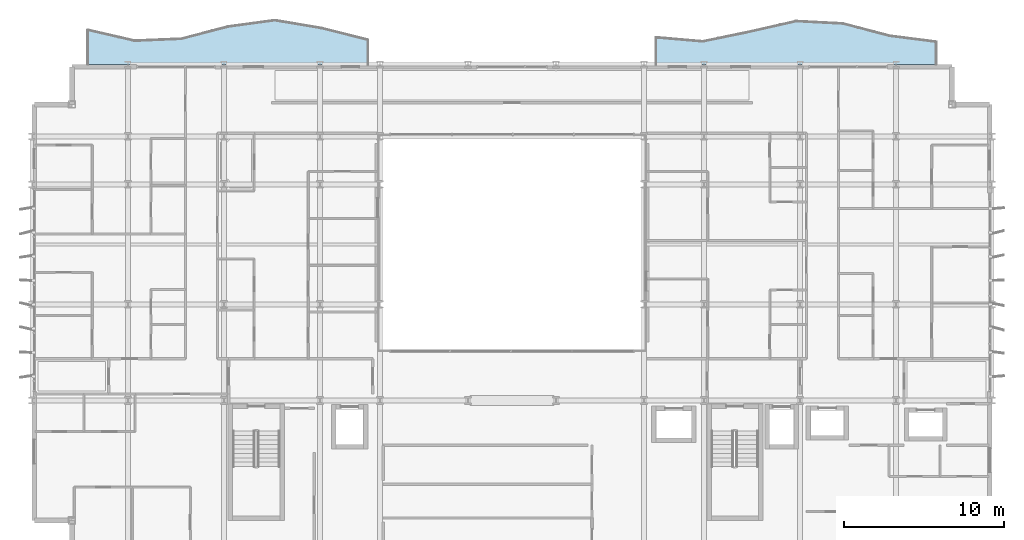
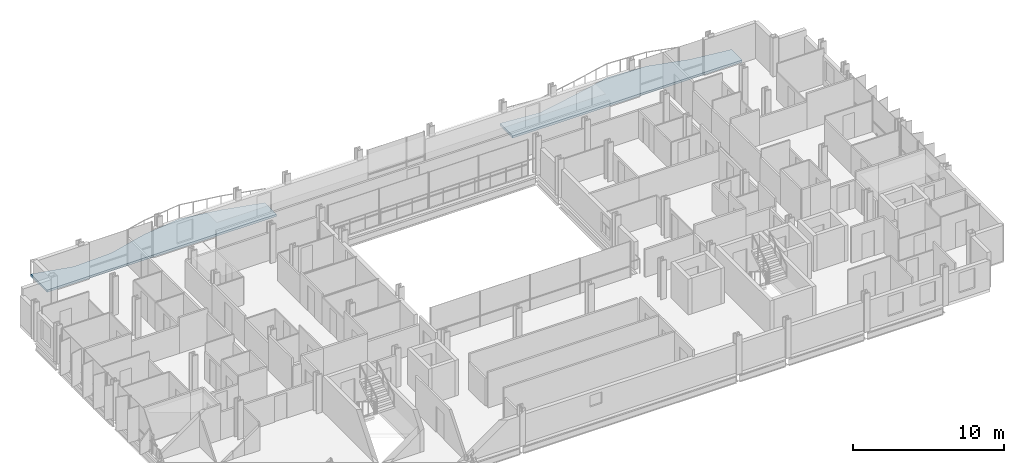
# One storey, part 25 of 38: 2 slabs.
"""IFC4 building model written with IfcOpenShell, lengths in metres."""

from ifc_helpers import new_model, si_unit, direction, frame, origin, place, context, subcontext, project, spatial, polyline, outline, extrude, material, layer, layer_set, type_object, element, save


model = new_model("IFC4")

# Units and contexts
model_context = context("Model", 3, precision=1e-05, world=origin(), true_north=direction((0.0, 1.0)))
body_context = subcontext(model_context, "Body", "Model", "MODEL_VIEW")
ifc_project = project(units=[si_unit("LENGTHUNIT", "METRE"), si_unit("AREAUNIT", "SQUARE_METRE"), si_unit("VOLUMEUNIT", "CUBIC_METRE"), si_unit("PLANEANGLEUNIT", "RADIAN"), si_unit("MASSUNIT", "GRAM", prefix="KILO")], contexts=[model_context])

# Site, building, storey
site_placement = place(None, origin())
site = spatial("IfcSite", under=ifc_project, at=site_placement, CompositionType="ELEMENT")
building_placement = place(site_placement, origin())
building = spatial("IfcBuilding", under=site, at=building_placement, Name="Brevholm Reach", CompositionType="ELEMENT")
storey_placement = place(building_placement, frame((0.0, 0.0, 59.0)))
storey = spatial("IfcBuildingStorey", under=building, at=storey_placement, Name="L16", CompositionType="ELEMENT", Elevation=59.0)

# Slabs
ifc_material = material(Name="Precast Concrete C40/50", Category="concrete")
ifc_layer = layer(ifc_material, 0.179931640625)
ifc_layer_set = layer_set([ifc_layer], Name="Precast Concrete C40/50")
slab_type = type_object("IfcSlabType", Name="SLB-BAL-180", PredefinedType="FLOOR", material=ifc_layer_set)
slab_1_placement = place(storey_placement, frame((0.0, 0.0, -0.179931640625)))
element("IfcSlab", 1, at=slab_1_placement, inside=storey, type_object=slab_type, Name="L16 Rippling External Balcony NE", PredefinedType="FLOOR", context=body_context, shape_type="SweptSolid", body=[
    extrude(outline(polyline([(39.0, 31.0), (56.5, 31.0), (56.5, 32.40380859375), (53.583251953125, 32.779052734375), (50.666748046875, 33.5439453125), (47.75, 33.691650390625), (44.833251953125, 33.02783203125), (41.916748046875, 32.426025390625), (39.0, 32.67822265625), (39.0, 31.0)])), origin(), (0.0, 0.0, 1.0), 0.179931640625),
])
slab_2_placement = place(storey_placement, frame((0.0, 0.0, -0.179931640625)))
element("IfcSlab", 2, at=slab_2_placement, inside=storey, type_object=slab_type, Name="L16 Rippling External Balcony NW", PredefinedType="FLOOR", context=body_context, shape_type="SweptSolid", body=[
    extrude(outline(polyline([(3.5, 31.0), (21.0, 31.0), (21.0, 32.52880859375), (18.083251953125, 33.260986328125), (15.166748046875, 33.748291015625), (12.25, 33.349609375), (9.333251953125, 32.58935546875), (6.416748046875, 32.46826171875), (3.5, 33.1455078125), (3.5, 31.0)])), origin(), (0.0, 0.0, 1.0), 0.179931640625),
])

save(model, "model.ifc")
